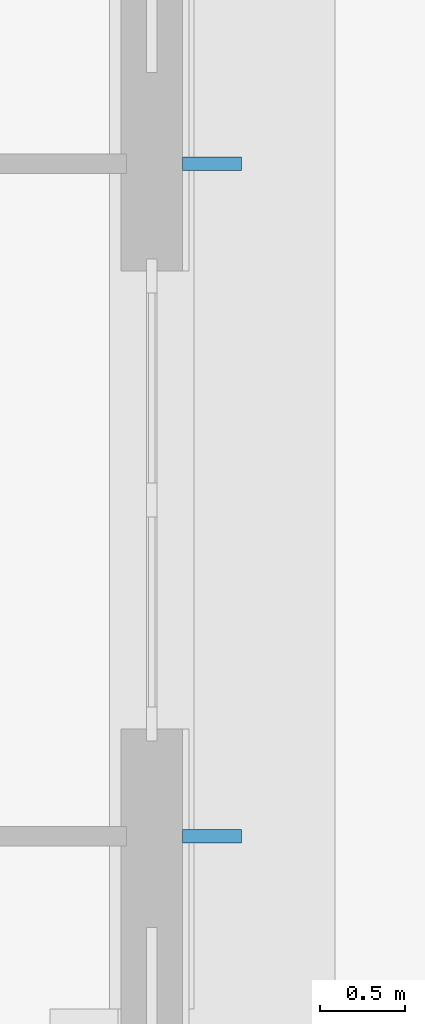
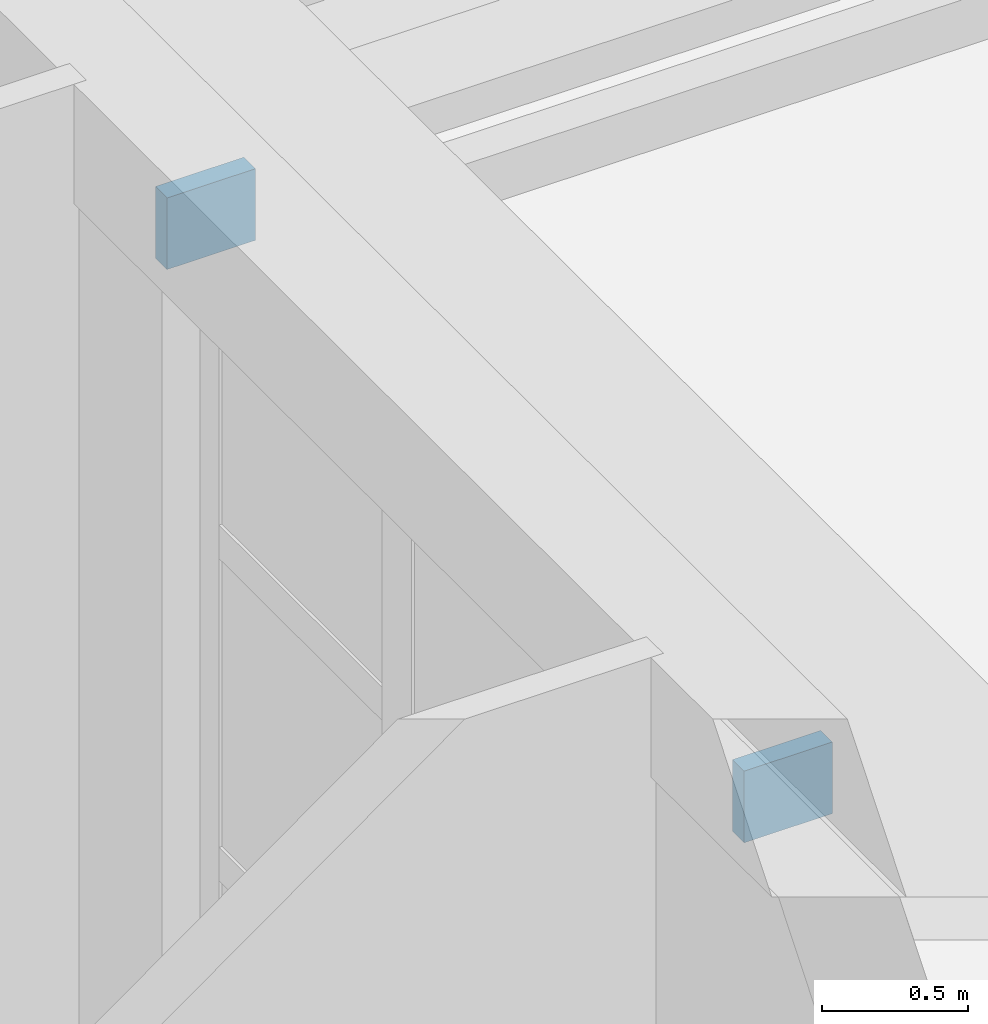
# One storey, part 84 of 161: 2 discrete accessories.
"""IFC4 building model written with IfcOpenShell, lengths in metres."""

from ifc_helpers import new_model, si_unit, direction, frame, origin, origin_2d, place, context, subcontext, project, spatial, rectangle, extrude, material, type_object, element, save


model = new_model("IFC4")

# Units and contexts
model_context = context("Model", 3, precision=1e-05, world=origin(), true_north=direction((0.0, 1.0)))
body_context = subcontext(model_context, "Body", "Model", "MODEL_VIEW")
ifc_project = project(units=[si_unit("LENGTHUNIT", "METRE"), si_unit("AREAUNIT", "SQUARE_METRE"), si_unit("VOLUMEUNIT", "CUBIC_METRE"), si_unit("PLANEANGLEUNIT", "RADIAN"), si_unit("MASSUNIT", "GRAM", prefix="KILO")], contexts=[model_context])

# Site, building, storey
site_placement = place(None, origin())
site = spatial("IfcSite", under=ifc_project, at=site_placement, CompositionType="ELEMENT")
building_placement = place(site_placement, origin())
building = spatial("IfcBuilding", under=site, at=building_placement, Name="Elbe Cascade School", CompositionType="ELEMENT")
storey_placement = place(building_placement, origin())
storey = spatial("IfcBuildingStorey", under=building, at=storey_placement, Name="L00", CompositionType="ELEMENT", Elevation=0.0)

# Discrete accessories
ifc_material = material(Name="Steel S355J2, hot-dip galvanised", Category="steel")
discrete_accessory_type = type_object("IfcDiscreteAccessoryType", Name="Bars envelope Bracket, galvanised steel", PredefinedType="BRACKET", material=ifc_material)
for number, where, z_axis, x_axis, name in (
    (1, (175.2548828125, 8.52001953125, 3.330078125), (0.0, 0.0, 1.0), (0.0, 1.0, 0.0), "Bracket AC7 eave.e.1.br1"),
    (2, (175.2548828125, 12.47998046875, 3.330078125), (0.0, 0.0, 1.0), (0.0, 1.0, 0.0), "Bracket AC7 eave.e.1.br2"),
):
    element("IfcDiscreteAccessory", number, at=place(storey_placement, frame(where, z_axis=z_axis, x_axis=x_axis)), inside=storey, type_object=discrete_accessory_type, Name=name, PredefinedType="BRACKET", context=body_context, shape_type="SweptSolid", body=[
        extrude(rectangle(XDim=0.080078125, YDim=0.35009765625, at=origin_2d()), origin(), (0.0, 0.0, 1.0), 0.300048828125),
    ])

save(model, "model.ifc")
